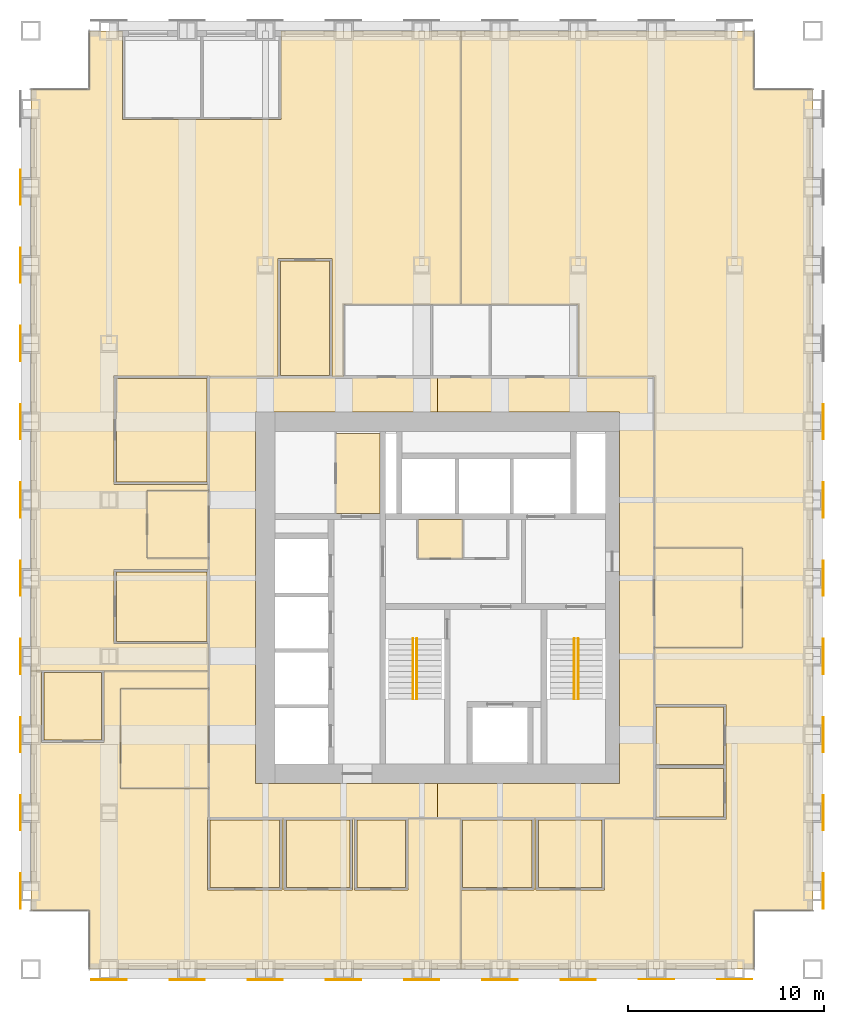
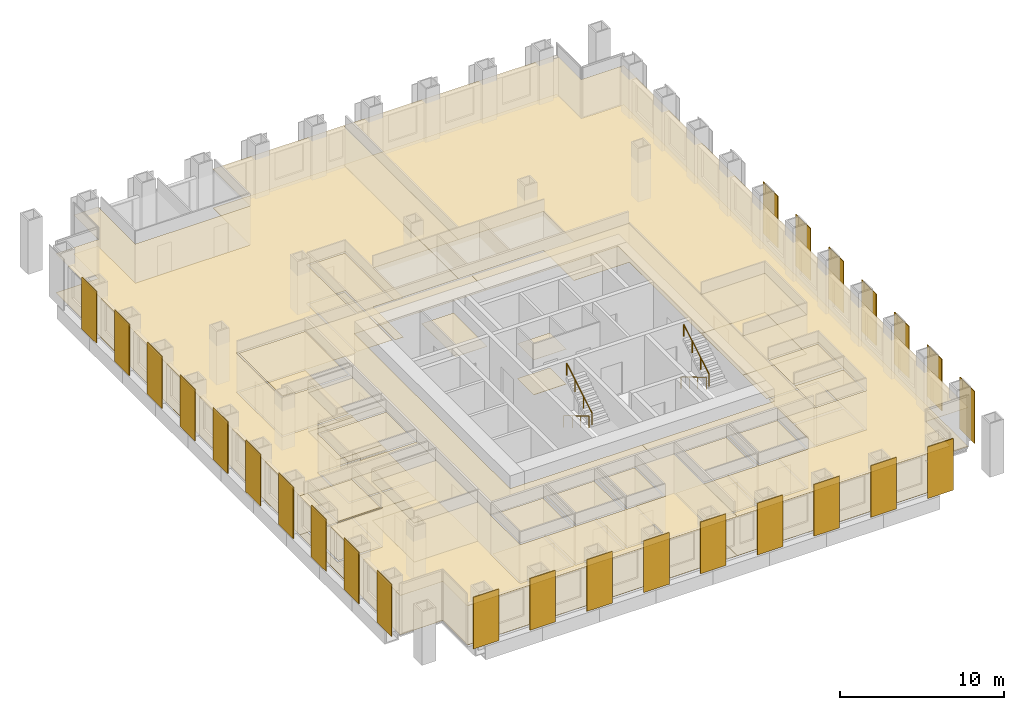
# One storey, part 13 of 14: 39 coverings, 26 shading devices, 4 railings.
"""IFC4 building model written with IfcOpenShell, lengths in metres."""

from ifc_helpers import new_model, si_unit, direction, frame, origin, origin_2d, place, context, subcontext, project, spatial, polyline, rectangle, circle, outline, extrude, material, layer, layer_set, type_object, element, save


model = new_model("IFC4")

# Units and contexts
model_context = context("Model", 3, precision=1e-05, world=origin(), true_north=direction((0.0, 1.0)))
body_context = subcontext(model_context, "Body", "Model", "MODEL_VIEW")
ifc_project = project(units=[si_unit("LENGTHUNIT", "METRE"), si_unit("AREAUNIT", "SQUARE_METRE"), si_unit("VOLUMEUNIT", "CUBIC_METRE"), si_unit("PLANEANGLEUNIT", "RADIAN"), si_unit("MASSUNIT", "GRAM", prefix="KILO")], contexts=[model_context])

# Site, building, storey
site_placement = place(None, origin())
site = spatial("IfcSite", under=ifc_project, at=site_placement, CompositionType="ELEMENT")
building_placement = place(site_placement, origin())
building = spatial("IfcBuilding", under=site, at=building_placement, Name="Rimbunsela Tower", CompositionType="ELEMENT")
storey_placement = place(building_placement, frame((0.0, 0.0, 179.800048828125)))
storey = spatial("IfcBuildingStorey", under=building, at=storey_placement, Name="L43", CompositionType="ELEMENT", Elevation=179.800048828125)

# Coverings
ifc_material_1 = material(Name="Nylon carpet tile", Category="textile")
ifc_layer_1 = layer(ifc_material_1, 0.010009765625)
ifc_layer_set_1 = layer_set([ifc_layer_1], Name="Carpet tile 10")
covering_type_1 = type_object("IfcCoveringType", Name="Carpet tile 10", PredefinedType="FLOORING", material=ifc_layer_set_1)
covering_1_placement = place(storey_placement, origin())
element("IfcCovering", 1, at=covering_1_placement, inside=storey, type_object=covering_type_1, Name="Floor finish Open office", PredefinedType="FLOORING", context=body_context, shape_type="SweptSolid", body=[
    extrude(outline(polyline([(18.85009765625, 15.699951171875), (18.949951171875, 15.699951171875), (18.949951171875, 12.050048828125), (22.449951171875, 12.050048828125), (22.449951171875, 15.699951171875), (22.550048828125, 15.699951171875), (22.550048828125, 12.050048828125), (25.300048828125, 12.050048828125), (25.300048828125, 15.699951171875), (27.9990234375, 15.699951171875), (27.9990234375, 8.0), (15.10009765625, 8.0), (9.0, 8.0), (9.0, 11.0), (6.0, 11.0), (6.0, 23.2490234375), (6.550048828125, 23.2490234375), (6.550048828125, 19.60009765625), (9.75, 19.60009765625), (9.75, 23.2490234375), (15.10009765625, 23.2490234375), (15.10009765625, 22.34912109375), (10.60009765625, 22.34912109375), (10.60009765625, 17.2490234375), (15.10009765625, 17.2490234375), (15.10009765625, 15.75), (15.050048828125, 15.75), (15.050048828125, 12.050048828125), (15.10009765625, 12.050048828125), (18.85009765625, 12.050048828125), (18.85009765625, 15.699951171875)])), origin(), (0.0, 0.0, 1.0), 0.010009765625),
])
covering_2_placement = place(storey_placement, origin())
element("IfcCovering", 2, at=covering_2_placement, inside=storey, type_object=covering_type_1, Name="Floor finish Open office", PredefinedType="FLOORING", context=body_context, shape_type="SweptSolid", body=[
    extrude(outline(polyline([(14.699951171875, 51.449951171875), (14.800048828125, 51.449951171875), (15.10009765625, 51.449951171875), (18.800048828125, 51.449951171875), (18.800048828125, 56.0), (27.9990234375, 56.0), (27.9990234375, 42.0), (22.0, 42.0), (22.0, 38.300048828125), (21.39990234375, 38.300048828125), (21.39990234375, 44.35009765625), (18.64990234375, 44.35009765625), (18.64990234375, 38.300048828125), (15.14990234375, 38.300048828125), (15.14990234375, 38.35009765625), (15.10009765625, 38.35009765625), (10.25, 38.35009765625), (10.25, 32.800048828125), (15.10009765625, 32.800048828125), (15.10009765625, 32.47509765625), (11.949951171875, 32.47509765625), (11.949951171875, 29.02490234375), (15.10009765625, 29.02490234375), (15.10009765625, 28.449951171875), (10.25, 28.449951171875), (10.25, 24.64990234375), (15.10009765625, 24.64990234375), (15.10009765625, 23.2509765625), (6.0, 23.2509765625), (6.0, 53.0), (9.0, 53.0), (9.0, 56.0), (10.699951171875, 56.0), (10.699951171875, 51.449951171875), (14.699951171875, 51.449951171875)])), origin(), (0.0, 0.0, 1.0), 0.010009765625),
])
covering_3_placement = place(storey_placement, origin())
element("IfcCovering", 3, at=covering_3_placement, inside=storey, type_object=covering_type_1, Name="Floor finish Open office", PredefinedType="FLOORING", context=body_context, shape_type="SweptSolid", body=[
    extrude(outline(polyline([(28.0009765625, 12.050048828125), (31.75, 12.050048828125), (31.75, 15.699951171875), (31.85009765625, 15.699951171875), (31.85009765625, 12.050048828125), (35.35009765625, 12.050048828125), (35.35009765625, 15.699951171875), (37.85009765625, 15.699951171875), (37.85009765625, 15.64990234375), (37.89990234375, 15.64990234375), (41.550048828125, 15.64990234375), (41.550048828125, 18.35009765625), (41.550048828125, 18.39990234375), (41.550048828125, 21.550048828125), (37.89990234375, 21.550048828125), (37.89990234375, 24.449951171875), (42.39990234375, 24.449951171875), (42.39990234375, 29.550048828125), (37.89990234375, 29.550048828125), (37.89990234375, 38.300048828125), (34.0, 38.300048828125), (34.0, 42.0), (28.0009765625, 42.0), (28.0009765625, 56.0), (37.89990234375, 56.0), (43.0, 56.0), (43.0, 53.0), (46.0, 53.0), (46.0, 11.0), (43.0, 11.0), (43.0, 8.0), (37.89990234375, 8.0), (28.0009765625, 8.0), (28.0009765625, 12.050048828125)])), origin(), (0.0, 0.0, 1.0), 0.010009765625),
])
covering_4_placement = place(storey_placement, origin())
element("IfcCovering", 4, at=covering_4_placement, inside=storey, type_object=covering_type_1, Name="Floor finish Reception", PredefinedType="FLOORING", context=body_context, shape_type="SweptSolid", body=[
    extrude(outline(polyline([(15.10009765625, 17.2490234375), (15.10009765625, 22.34912109375), (10.60009765625, 22.34912109375), (10.60009765625, 17.2490234375), (15.10009765625, 17.2490234375)])), origin(), (0.0, 0.0, 1.0), 0.010009765625),
])
covering_5_placement = place(storey_placement, origin())
element("IfcCovering", 5, at=covering_5_placement, inside=storey, type_object=covering_type_1, Name="Floor finish Reception", PredefinedType="FLOORING", context=body_context, shape_type="SweptSolid", body=[
    extrude(outline(polyline([(15.10009765625, 29.02490234375), (15.10009765625, 32.47509765625), (11.949951171875, 32.47509765625), (11.949951171875, 29.02490234375), (15.10009765625, 29.02490234375)])), origin(), (0.0, 0.0, 1.0), 0.010009765625),
])
covering_6_placement = place(storey_placement, origin())
element("IfcCovering", 6, at=covering_6_placement, inside=storey, type_object=covering_type_1, Name="Floor finish Reception", PredefinedType="FLOORING", context=body_context, shape_type="SweptSolid", body=[
    extrude(outline(polyline([(42.39990234375, 24.449951171875), (42.39990234375, 29.550048828125), (37.89990234375, 29.550048828125), (37.89990234375, 24.449951171875), (42.39990234375, 24.449951171875)])), origin(), (0.0, 0.0, 1.0), 0.010009765625),
])
covering_7_placement = place(storey_placement, origin())
element("IfcCovering", 7, at=covering_7_placement, inside=storey, type_object=covering_type_1, Name="Floor finish Pantry", PredefinedType="FLOORING", context=body_context, shape_type="SweptSolid", body=[
    extrude(outline(polyline([(15.02490234375, 32.925048828125), (15.02490234375, 38.22509765625), (10.375, 38.22509765625), (10.375, 32.925048828125), (15.02490234375, 32.925048828125)])), origin(), (0.0, 0.0, 1.0), 0.010009765625),
])
covering_8_placement = place(storey_placement, origin())
element("IfcCovering", 8, at=covering_8_placement, inside=storey, type_object=covering_type_1, Name="Floor finish Meeting room", PredefinedType="FLOORING", context=body_context, shape_type="SweptSolid", body=[
    extrude(outline(polyline([(18.72509765625, 12.175048828125), (18.72509765625, 15.625), (15.175048828125, 15.625), (15.175048828125, 12.175048828125), (18.72509765625, 12.175048828125)])), origin(), (0.0, 0.0, 1.0), 0.010009765625),
])
covering_9_placement = place(storey_placement, origin())
element("IfcCovering", 9, at=covering_9_placement, inside=storey, type_object=covering_type_1, Name="Floor finish Pantry", PredefinedType="FLOORING", context=body_context, shape_type="SweptSolid", body=[
    extrude(outline(polyline([(22.324951171875, 12.175048828125), (22.324951171875, 15.625), (19.074951171875, 15.625), (19.074951171875, 12.175048828125), (22.324951171875, 12.175048828125)])), origin(), (0.0, 0.0, 1.0), 0.010009765625),
])
covering_10_placement = place(storey_placement, origin())
element("IfcCovering", 10, at=covering_10_placement, inside=storey, type_object=covering_type_1, Name="Floor finish Print and copy room", PredefinedType="FLOORING", context=body_context, shape_type="SweptSolid", body=[
    extrude(outline(polyline([(25.175048828125, 12.175048828125), (25.175048828125, 15.625), (22.675048828125, 15.625), (22.675048828125, 12.175048828125), (25.175048828125, 12.175048828125)])), origin(), (0.0, 0.0, 1.0), 0.010009765625),
])
covering_11_placement = place(storey_placement, origin())
element("IfcCovering", 11, at=covering_11_placement, inside=storey, type_object=covering_type_1, Name="Floor finish Office", PredefinedType="FLOORING", context=body_context, shape_type="SweptSolid", body=[
    extrude(outline(polyline([(9.625, 19.72509765625), (9.625, 23.175048828125), (6.675048828125, 23.175048828125), (6.675048828125, 19.72509765625), (9.625, 19.72509765625)])), origin(), (0.0, 0.0, 1.0), 0.010009765625),
])
covering_12_placement = place(storey_placement, origin())
element("IfcCovering", 12, at=covering_12_placement, inside=storey, type_object=covering_type_1, Name="Floor finish Meeting room", PredefinedType="FLOORING", context=body_context, shape_type="SweptSolid", body=[
    extrude(outline(polyline([(15.02490234375, 24.77490234375), (15.02490234375, 28.324951171875), (10.375, 28.324951171875), (10.375, 24.77490234375), (15.02490234375, 24.77490234375)])), origin(), (0.0, 0.0, 1.0), 0.010009765625),
])
covering_13_placement = place(storey_placement, origin())
element("IfcCovering", 13, at=covering_13_placement, inside=storey, type_object=covering_type_1, Name="Floor finish Print and copy room", PredefinedType="FLOORING", context=body_context, shape_type="SweptSolid", body=[
    extrude(outline(polyline([(21.27490234375, 38.375), (21.27490234375, 44.22509765625), (18.77490234375, 44.22509765625), (18.77490234375, 38.375), (21.27490234375, 38.375)])), origin(), (0.0, 0.0, 1.0), 0.010009765625),
])
covering_14_placement = place(storey_placement, origin())
element("IfcCovering", 14, at=covering_14_placement, inside=storey, type_object=covering_type_1, Name="Floor finish Meeting room", PredefinedType="FLOORING", context=body_context, shape_type="SweptSolid", body=[
    extrude(outline(polyline([(31.625, 12.175048828125), (31.625, 15.625), (28.074951171875, 15.625), (28.074951171875, 12.175048828125), (31.625, 12.175048828125)])), origin(), (0.0, 0.0, 1.0), 0.010009765625),
])
covering_15_placement = place(storey_placement, origin())
element("IfcCovering", 15, at=covering_15_placement, inside=storey, type_object=covering_type_1, Name="Floor finish Pantry", PredefinedType="FLOORING", context=body_context, shape_type="SweptSolid", body=[
    extrude(outline(polyline([(35.22509765625, 12.175048828125), (35.22509765625, 15.625), (31.97509765625, 15.625), (31.97509765625, 12.175048828125), (35.22509765625, 12.175048828125)])), origin(), (0.0, 0.0, 1.0), 0.010009765625),
])
covering_16_placement = place(storey_placement, origin())
element("IfcCovering", 16, at=covering_16_placement, inside=storey, type_object=covering_type_1, Name="Floor finish Print and copy room", PredefinedType="FLOORING", context=body_context, shape_type="SweptSolid", body=[
    extrude(outline(polyline([(41.425048828125, 15.77490234375), (41.425048828125, 18.27490234375), (37.97509765625, 18.27490234375), (37.97509765625, 15.77490234375), (41.425048828125, 15.77490234375)])), origin(), (0.0, 0.0, 1.0), 0.010009765625),
])
covering_17_placement = place(storey_placement, origin())
element("IfcCovering", 17, at=covering_17_placement, inside=storey, type_object=covering_type_1, Name="Floor finish Office", PredefinedType="FLOORING", context=body_context, shape_type="SweptSolid", body=[
    extrude(outline(polyline([(41.425048828125, 18.47509765625), (41.425048828125, 21.425048828125), (37.97509765625, 21.425048828125), (37.97509765625, 18.47509765625), (41.425048828125, 18.47509765625)])), origin(), (0.0, 0.0, 1.0), 0.010009765625),
])
ifc_material_2 = material(Name="Mineral fibre ceiling tile", Category="gypsum")
ifc_layer_2 = layer(ifc_material_2, 0.02001953125)
ifc_layer_set_2 = layer_set([ifc_layer_2], Name="Ceiling 600 grid")
covering_type_2 = type_object("IfcCoveringType", Name="Ceiling 600 grid", PredefinedType="CEILING", material=ifc_layer_set_2)
covering_18_placement = place(storey_placement, frame((0.0, 0.0, 2.89990234375)))
element("IfcCovering", 18, at=covering_18_placement, inside=storey, type_object=covering_type_2, Name="Ceiling Staff pantry", PredefinedType="CEILING", context=body_context, shape_type="SweptSolid", body=[
    extrude(outline(polyline([(23.85009765625, 31.300048828125), (23.85009765625, 35.39990234375), (21.60009765625, 35.39990234375), (21.60009765625, 31.300048828125), (23.85009765625, 31.300048828125)])), origin(), (0.0, 0.0, 1.0), 0.02001953125),
])
covering_19_placement = place(storey_placement, frame((0.0, 0.0, 2.89990234375)))
element("IfcCovering", 19, at=covering_19_placement, inside=storey, type_object=covering_type_2, Name="Ceiling Ring corridor", PredefinedType="CEILING", context=body_context, shape_type="SweptSolid", body=[
    extrude(outline(polyline([(15.10009765625, 38.300048828125), (26.800048828125, 38.300048828125), (26.800048828125, 36.5), (17.5, 36.5), (17.5, 17.5), (26.800048828125, 17.5), (26.800048828125, 15.699951171875), (15.10009765625, 15.699951171875), (15.10009765625, 38.300048828125)])), origin(), (0.0, 0.0, 1.0), 0.02001953125),
])
covering_20_placement = place(storey_placement, frame((0.0, 0.0, 2.89990234375)))
element("IfcCovering", 20, at=covering_20_placement, inside=storey, type_object=covering_type_2, Name="Ceiling Ring corridor", PredefinedType="CEILING", context=body_context, shape_type="SweptSolid", body=[
    extrude(outline(polyline([(37.89990234375, 38.300048828125), (37.89990234375, 15.699951171875), (26.800048828125, 15.699951171875), (26.800048828125, 17.5), (36.10009765625, 17.5), (36.10009765625, 36.5), (26.800048828125, 36.5), (26.800048828125, 38.300048828125), (37.89990234375, 38.300048828125)])), origin(), (0.0, 0.0, 1.0), 0.02001953125),
])
covering_21_placement = place(storey_placement, frame((0.0, 0.0, 2.89990234375)))
element("IfcCovering", 21, at=covering_21_placement, inside=storey, type_object=covering_type_2, Name="Ceiling Open office", PredefinedType="CEILING", context=body_context, shape_type="SweptSolid", body=[
    extrude(outline(polyline([(18.85009765625, 15.699951171875), (18.949951171875, 15.699951171875), (18.949951171875, 12.050048828125), (22.449951171875, 12.050048828125), (22.449951171875, 15.699951171875), (22.550048828125, 15.699951171875), (22.550048828125, 12.050048828125), (25.300048828125, 12.050048828125), (25.300048828125, 15.699951171875), (27.9990234375, 15.699951171875), (27.9990234375, 8.0), (15.10009765625, 8.0), (9.0, 8.0), (9.0, 11.0), (6.0, 11.0), (6.0, 23.2490234375), (6.550048828125, 23.2490234375), (6.550048828125, 19.60009765625), (9.75, 19.60009765625), (9.75, 23.2490234375), (15.10009765625, 23.2490234375), (15.10009765625, 22.34912109375), (10.60009765625, 22.34912109375), (10.60009765625, 17.2490234375), (15.10009765625, 17.2490234375), (15.10009765625, 15.75), (15.050048828125, 15.75), (15.050048828125, 12.050048828125), (15.10009765625, 12.050048828125), (18.85009765625, 12.050048828125), (18.85009765625, 15.699951171875)])), origin(), (0.0, 0.0, 1.0), 0.02001953125),
])
covering_22_placement = place(storey_placement, frame((0.0, 0.0, 2.89990234375)))
element("IfcCovering", 22, at=covering_22_placement, inside=storey, type_object=covering_type_2, Name="Ceiling Open office", PredefinedType="CEILING", context=body_context, shape_type="SweptSolid", body=[
    extrude(outline(polyline([(14.699951171875, 51.449951171875), (14.800048828125, 51.449951171875), (15.10009765625, 51.449951171875), (18.800048828125, 51.449951171875), (18.800048828125, 56.0), (27.9990234375, 56.0), (27.9990234375, 42.0), (22.0, 42.0), (22.0, 38.300048828125), (21.39990234375, 38.300048828125), (21.39990234375, 44.35009765625), (18.64990234375, 44.35009765625), (18.64990234375, 38.300048828125), (15.14990234375, 38.300048828125), (15.14990234375, 38.35009765625), (15.10009765625, 38.35009765625), (10.25, 38.35009765625), (10.25, 32.800048828125), (15.10009765625, 32.800048828125), (15.10009765625, 32.47509765625), (11.949951171875, 32.47509765625), (11.949951171875, 29.02490234375), (15.10009765625, 29.02490234375), (15.10009765625, 28.449951171875), (10.25, 28.449951171875), (10.25, 24.64990234375), (15.10009765625, 24.64990234375), (15.10009765625, 23.2509765625), (6.0, 23.2509765625), (6.0, 53.0), (9.0, 53.0), (9.0, 56.0), (10.699951171875, 56.0), (10.699951171875, 51.449951171875), (14.699951171875, 51.449951171875)])), origin(), (0.0, 0.0, 1.0), 0.02001953125),
])
covering_23_placement = place(storey_placement, frame((0.0, 0.0, 2.89990234375)))
element("IfcCovering", 23, at=covering_23_placement, inside=storey, type_object=covering_type_2, Name="Ceiling Open office", PredefinedType="CEILING", context=body_context, shape_type="SweptSolid", body=[
    extrude(outline(polyline([(28.0009765625, 12.050048828125), (31.75, 12.050048828125), (31.75, 15.699951171875), (31.85009765625, 15.699951171875), (31.85009765625, 12.050048828125), (35.35009765625, 12.050048828125), (35.35009765625, 15.699951171875), (37.85009765625, 15.699951171875), (37.85009765625, 15.64990234375), (37.89990234375, 15.64990234375), (41.550048828125, 15.64990234375), (41.550048828125, 18.35009765625), (41.550048828125, 18.39990234375), (41.550048828125, 21.550048828125), (37.89990234375, 21.550048828125), (37.89990234375, 24.449951171875), (42.39990234375, 24.449951171875), (42.39990234375, 29.550048828125), (37.89990234375, 29.550048828125), (37.89990234375, 38.300048828125), (34.0, 38.300048828125), (34.0, 42.0), (28.0009765625, 42.0), (28.0009765625, 56.0), (37.89990234375, 56.0), (43.0, 56.0), (43.0, 53.0), (46.0, 53.0), (46.0, 11.0), (43.0, 11.0), (43.0, 8.0), (37.89990234375, 8.0), (28.0009765625, 8.0), (28.0009765625, 12.050048828125)])), origin(), (0.0, 0.0, 1.0), 0.02001953125),
])
covering_24_placement = place(storey_placement, frame((0.0, 0.0, 2.89990234375)))
element("IfcCovering", 24, at=covering_24_placement, inside=storey, type_object=covering_type_2, Name="Ceiling Reception", PredefinedType="CEILING", context=body_context, shape_type="SweptSolid", body=[
    extrude(outline(polyline([(15.10009765625, 17.2490234375), (15.10009765625, 22.34912109375), (10.60009765625, 22.34912109375), (10.60009765625, 17.2490234375), (15.10009765625, 17.2490234375)])), origin(), (0.0, 0.0, 1.0), 0.02001953125),
])
covering_25_placement = place(storey_placement, frame((0.0, 0.0, 2.89990234375)))
element("IfcCovering", 25, at=covering_25_placement, inside=storey, type_object=covering_type_2, Name="Ceiling Reception", PredefinedType="CEILING", context=body_context, shape_type="SweptSolid", body=[
    extrude(outline(polyline([(15.10009765625, 29.02490234375), (15.10009765625, 32.47509765625), (11.949951171875, 32.47509765625), (11.949951171875, 29.02490234375), (15.10009765625, 29.02490234375)])), origin(), (0.0, 0.0, 1.0), 0.02001953125),
])
covering_26_placement = place(storey_placement, frame((0.0, 0.0, 2.89990234375)))
element("IfcCovering", 26, at=covering_26_placement, inside=storey, type_object=covering_type_2, Name="Ceiling Reception", PredefinedType="CEILING", context=body_context, shape_type="SweptSolid", body=[
    extrude(outline(polyline([(42.39990234375, 24.449951171875), (42.39990234375, 29.550048828125), (37.89990234375, 29.550048828125), (37.89990234375, 24.449951171875), (42.39990234375, 24.449951171875)])), origin(), (0.0, 0.0, 1.0), 0.02001953125),
])
covering_27_placement = place(storey_placement, frame((0.0, 0.0, 2.89990234375)))
element("IfcCovering", 27, at=covering_27_placement, inside=storey, type_object=covering_type_2, Name="Ceiling Pantry", PredefinedType="CEILING", context=body_context, shape_type="SweptSolid", body=[
    extrude(outline(polyline([(15.02490234375, 32.925048828125), (15.02490234375, 38.22509765625), (10.375, 38.22509765625), (10.375, 32.925048828125), (15.02490234375, 32.925048828125)])), origin(), (0.0, 0.0, 1.0), 0.02001953125),
])
covering_28_placement = place(storey_placement, frame((0.0, 0.0, 2.89990234375)))
element("IfcCovering", 28, at=covering_28_placement, inside=storey, type_object=covering_type_2, Name="Ceiling Meeting room", PredefinedType="CEILING", context=body_context, shape_type="SweptSolid", body=[
    extrude(outline(polyline([(18.72509765625, 12.175048828125), (18.72509765625, 15.625), (15.175048828125, 15.625), (15.175048828125, 12.175048828125), (18.72509765625, 12.175048828125)])), origin(), (0.0, 0.0, 1.0), 0.02001953125),
])
covering_29_placement = place(storey_placement, frame((0.0, 0.0, 2.89990234375)))
element("IfcCovering", 29, at=covering_29_placement, inside=storey, type_object=covering_type_2, Name="Ceiling Pantry", PredefinedType="CEILING", context=body_context, shape_type="SweptSolid", body=[
    extrude(outline(polyline([(22.324951171875, 12.175048828125), (22.324951171875, 15.625), (19.074951171875, 15.625), (19.074951171875, 12.175048828125), (22.324951171875, 12.175048828125)])), origin(), (0.0, 0.0, 1.0), 0.02001953125),
])
covering_30_placement = place(storey_placement, frame((0.0, 0.0, 2.89990234375)))
element("IfcCovering", 30, at=covering_30_placement, inside=storey, type_object=covering_type_2, Name="Ceiling Print and copy room", PredefinedType="CEILING", context=body_context, shape_type="SweptSolid", body=[
    extrude(outline(polyline([(25.175048828125, 12.175048828125), (25.175048828125, 15.625), (22.675048828125, 15.625), (22.675048828125, 12.175048828125), (25.175048828125, 12.175048828125)])), origin(), (0.0, 0.0, 1.0), 0.02001953125),
])
covering_31_placement = place(storey_placement, frame((0.0, 0.0, 2.89990234375)))
element("IfcCovering", 31, at=covering_31_placement, inside=storey, type_object=covering_type_2, Name="Ceiling Office", PredefinedType="CEILING", context=body_context, shape_type="SweptSolid", body=[
    extrude(outline(polyline([(9.625, 19.72509765625), (9.625, 23.175048828125), (6.675048828125, 23.175048828125), (6.675048828125, 19.72509765625), (9.625, 19.72509765625)])), origin(), (0.0, 0.0, 1.0), 0.02001953125),
])
covering_32_placement = place(storey_placement, frame((0.0, 0.0, 2.89990234375)))
element("IfcCovering", 32, at=covering_32_placement, inside=storey, type_object=covering_type_2, Name="Ceiling Meeting room", PredefinedType="CEILING", context=body_context, shape_type="SweptSolid", body=[
    extrude(outline(polyline([(15.02490234375, 24.77490234375), (15.02490234375, 28.324951171875), (10.375, 28.324951171875), (10.375, 24.77490234375), (15.02490234375, 24.77490234375)])), origin(), (0.0, 0.0, 1.0), 0.02001953125),
])
covering_33_placement = place(storey_placement, frame((0.0, 0.0, 2.89990234375)))
element("IfcCovering", 33, at=covering_33_placement, inside=storey, type_object=covering_type_2, Name="Ceiling Print and copy room", PredefinedType="CEILING", context=body_context, shape_type="SweptSolid", body=[
    extrude(outline(polyline([(21.27490234375, 38.375), (21.27490234375, 44.22509765625), (18.77490234375, 44.22509765625), (18.77490234375, 38.375), (21.27490234375, 38.375)])), origin(), (0.0, 0.0, 1.0), 0.02001953125),
])
covering_34_placement = place(storey_placement, frame((0.0, 0.0, 2.89990234375)))
element("IfcCovering", 34, at=covering_34_placement, inside=storey, type_object=covering_type_2, Name="Ceiling Meeting room", PredefinedType="CEILING", context=body_context, shape_type="SweptSolid", body=[
    extrude(outline(polyline([(31.625, 12.175048828125), (31.625, 15.625), (28.074951171875, 15.625), (28.074951171875, 12.175048828125), (31.625, 12.175048828125)])), origin(), (0.0, 0.0, 1.0), 0.02001953125),
])
covering_35_placement = place(storey_placement, frame((0.0, 0.0, 2.89990234375)))
element("IfcCovering", 35, at=covering_35_placement, inside=storey, type_object=covering_type_2, Name="Ceiling Pantry", PredefinedType="CEILING", context=body_context, shape_type="SweptSolid", body=[
    extrude(outline(polyline([(35.22509765625, 12.175048828125), (35.22509765625, 15.625), (31.97509765625, 15.625), (31.97509765625, 12.175048828125), (35.22509765625, 12.175048828125)])), origin(), (0.0, 0.0, 1.0), 0.02001953125),
])
covering_36_placement = place(storey_placement, frame((0.0, 0.0, 2.89990234375)))
element("IfcCovering", 36, at=covering_36_placement, inside=storey, type_object=covering_type_2, Name="Ceiling Print and copy room", PredefinedType="CEILING", context=body_context, shape_type="SweptSolid", body=[
    extrude(outline(polyline([(41.425048828125, 15.77490234375), (41.425048828125, 18.27490234375), (37.97509765625, 18.27490234375), (37.97509765625, 15.77490234375), (41.425048828125, 15.77490234375)])), origin(), (0.0, 0.0, 1.0), 0.02001953125),
])
covering_37_placement = place(storey_placement, frame((0.0, 0.0, 2.89990234375)))
element("IfcCovering", 37, at=covering_37_placement, inside=storey, type_object=covering_type_2, Name="Ceiling Office", PredefinedType="CEILING", context=body_context, shape_type="SweptSolid", body=[
    extrude(outline(polyline([(41.425048828125, 18.47509765625), (41.425048828125, 21.425048828125), (37.97509765625, 21.425048828125), (37.97509765625, 18.47509765625), (41.425048828125, 18.47509765625)])), origin(), (0.0, 0.0, 1.0), 0.02001953125),
])
ifc_material_3 = material(Name="Moisture-resistant plasterboard ceiling", Category="gypsum")
ifc_layer_3 = layer(ifc_material_3, 0.012451171875)
ifc_layer_set_3 = layer_set([ifc_layer_3], Name="Ceiling moisture-resistant board")
covering_type_3 = type_object("IfcCoveringType", Name="Ceiling moisture-resistant board", PredefinedType="CEILING", material=ifc_layer_set_3)
covering_38_placement = place(storey_placement, frame((0.0, 0.0, 2.599853515625)))
element("IfcCovering", 38, at=covering_38_placement, inside=storey, type_object=covering_type_3, Name="Ceiling Staff WC", PredefinedType="CEILING", context=body_context, shape_type="SweptSolid", body=[
    extrude(outline(polyline([(28.10009765625, 29.0), (28.10009765625, 31.0), (25.800048828125, 31.0), (25.800048828125, 29.0), (28.10009765625, 29.0)])), origin(), (0.0, 0.0, 1.0), 0.02001953125),
])
ifc_material_4 = material(Name="Porcelain floor tile in adhesive bed", Category="ceramic")
ifc_layer_4 = layer(ifc_material_4, 0.02001953125)
ifc_layer_set_4 = layer_set([ifc_layer_4], Name="Porcelain tile 20")
covering_type_4 = type_object("IfcCoveringType", Name="Porcelain tile 20", PredefinedType="FLOORING", material=ifc_layer_set_4)
covering_39_placement = place(storey_placement, origin())
element("IfcCovering", 39, at=covering_39_placement, inside=storey, type_object=covering_type_4, Name="Floor finish Staff WC", PredefinedType="FLOORING", context=body_context, shape_type="SweptSolid", body=[
    extrude(outline(polyline([(28.10009765625, 29.0), (28.10009765625, 31.0), (25.800048828125, 31.0), (25.800048828125, 29.0), (28.10009765625, 29.0)])), origin(), (0.0, 0.0, 1.0), 0.02001953125),
])

# Shading devices
ifc_material_5 = material(Name="Perforated aluminium, 35 % open area", Category="aluminium")
ifc_layer_5 = layer(ifc_material_5, 0.050048828125)
ifc_layer_set_5 = layer_set([ifc_layer_5], Name="Solar screen panel 1800")
shading_device_type = type_object("IfcShadingDeviceType", Name="Solar screen panel 1800", PredefinedType="USERDEFINED", material=ifc_layer_set_5)
for number, where, z_axis, x_axis, name in (
    (40, (10.0, 7.47509765625, 0.0), (0.0, 0.0, 1.0), (1.0, 0.0, 0.0), "Solar screen S L43"),
    (41, (14.0, 7.47509765625, 0.0), (0.0, 0.0, 1.0), (1.0, 0.0, 0.0), "Solar screen S L43"),
    (42, (18.0, 7.47509765625, 0.0), (0.0, 0.0, 1.0), (1.0, 0.0, 0.0), "Solar screen S L43"),
    (43, (22.0, 7.47509765625, 0.0), (0.0, 0.0, 1.0), (1.0, 0.0, 0.0), "Solar screen S L43"),
    (44, (26.0, 7.47509765625, 0.0), (0.0, 0.0, 1.0), (1.0, 0.0, 0.0), "Solar screen S L43"),
    (45, (30.0, 7.47509765625, 0.0), (0.0, 0.0, 1.0), (1.0, 0.0, 0.0), "Solar screen S L43"),
    (46, (34.0, 7.47509765625, 0.0), (0.0, 0.0, 1.0), (1.0, 0.0, 0.0), "Solar screen S L43"),
    (47, (38.0, 7.47509765625, 0.0), (0.0, 0.0, 1.0), (1.0, 0.0, 0.0), "Solar screen S L43"),
    (48, (42.0, 7.47509765625, 0.0), (0.0, 0.0, 1.0), (1.0, 0.0, 0.0), "Solar screen S L43"),
    (49, (46.52490234375, 12.0, 0.0), (0.0, 0.0, 1.0), (0.0, 1.0, 0.0), "Solar screen E L43"),
    (50, (46.52490234375, 16.0, 0.0), (0.0, 0.0, 1.0), (0.0, 1.0, 0.0), "Solar screen E L43"),
    (51, (46.52490234375, 20.0, 0.0), (0.0, 0.0, 1.0), (0.0, 1.0, 0.0), "Solar screen E L43"),
    (52, (46.52490234375, 24.0, 0.0), (0.0, 0.0, 1.0), (0.0, 1.0, 0.0), "Solar screen E L43"),
    (53, (46.52490234375, 28.0, 0.0), (0.0, 0.0, 1.0), (0.0, 1.0, 0.0), "Solar screen E L43"),
    (54, (46.52490234375, 32.0, 0.0), (0.0, 0.0, 1.0), (0.0, 1.0, 0.0), "Solar screen E L43"),
    (55, (46.52490234375, 36.0, 0.0), (0.0, 0.0, 1.0), (0.0, 1.0, 0.0), "Solar screen E L43"),
    (56, (5.47509765625, 12.0, 0.0), (0.0, 0.0, 1.0), (0.0, 1.0, 0.0), "Solar screen W L43"),
    (57, (5.47509765625, 16.0, 0.0), (0.0, 0.0, 1.0), (0.0, 1.0, 0.0), "Solar screen W L43"),
    (58, (5.47509765625, 20.0, 0.0), (0.0, 0.0, 1.0), (0.0, 1.0, 0.0), "Solar screen W L43"),
    (59, (5.47509765625, 24.0, 0.0), (0.0, 0.0, 1.0), (0.0, 1.0, 0.0), "Solar screen W L43"),
    (60, (5.47509765625, 28.0, 0.0), (0.0, 0.0, 1.0), (0.0, 1.0, 0.0), "Solar screen W L43"),
    (61, (5.47509765625, 32.0, 0.0), (0.0, 0.0, 1.0), (0.0, 1.0, 0.0), "Solar screen W L43"),
    (62, (5.47509765625, 36.0, 0.0), (0.0, 0.0, 1.0), (0.0, 1.0, 0.0), "Solar screen W L43"),
    (63, (5.47509765625, 40.0, 0.0), (0.0, 0.0, 1.0), (0.0, 1.0, 0.0), "Solar screen W L43"),
    (64, (5.47509765625, 44.0, 0.0), (0.0, 0.0, 1.0), (0.0, 1.0, 0.0), "Solar screen W L43"),
    (65, (5.47509765625, 48.0, 0.0), (0.0, 0.0, 1.0), (0.0, 1.0, 0.0), "Solar screen W L43"),
):
    element("IfcShadingDevice", number, at=place(storey_placement, frame(where, z_axis=z_axis, x_axis=x_axis)), inside=storey, type_object=shading_device_type, Name=name, ObjectType="SCREEN", PredefinedType="USERDEFINED", context=body_context, shape_type="SweptSolid", body=[
        extrude(rectangle(XDim=1.800048828125, YDim=0.050048828125, at=origin_2d()), origin(), (0.0, 0.0, 1.0), 3.85009765625),
    ])

# Railings
ifc_material_6 = material(Name="Stainless steel tube", Category="steel")
railing_type = type_object("IfcRailingType", Name="Stair handrail 900", PredefinedType="HANDRAIL", material=ifc_material_6)
railing_1_placement = place(storey_placement, frame((25.550048828125, 24.89990234375, 0.16650390625)))
element("IfcRailing", 66, at=railing_1_placement, inside=storey, type_object=railing_type, Name="Handrail ST-A flight 1", PredefinedType="HANDRAIL", context=body_context, shape_type="SweptSolid", body=[
    extrude(circle(Radius=0.02392578125, at=origin_2d()), frame((0.0, 0.0, 0.8759765625), z_axis=(0.0, -0.859260807169, 0.511537745687), x_axis=(1.0, 0.0, 0.0)), (0.0, 0.0, 1.0), 3.584228515625),
    extrude(circle(Radius=0.02099609375, at=origin_2d()), origin(), (0.0, 0.0, 1.0), 0.851806640625),
    extrude(circle(Radius=0.02099609375, at=origin_2d()), frame((0.0, -1.026611328125, 0.611083984375)), (0.0, 0.0, 1.0), 0.851806640625),
    extrude(circle(Radius=0.02099609375, at=origin_2d()), frame((0.0, -2.05322265625, 1.222412109375)), (0.0, 0.0, 1.0), 0.851806640625),
    extrude(circle(Radius=0.02099609375, at=origin_2d()), frame((0.0, -3.079833984375, 1.83349609375)), (0.0, 0.0, 1.0), 0.851806640625),
])
railing_2_placement = place(storey_placement, frame((25.75, 21.820068359375, 2.16650390625)))
element("IfcRailing", 67, at=railing_2_placement, inside=storey, type_object=railing_type, Name="Handrail ST-A flight 2", PredefinedType="HANDRAIL", context=body_context, shape_type="SweptSolid", body=[
    extrude(circle(Radius=0.02392578125, at=origin_2d()), frame((0.0, 0.0, 0.8759765625), z_axis=(0.0, 0.859260807169, 0.511537745687), x_axis=(-1.0, 0.0, 0.0)), (0.0, 0.0, 1.0), 3.584228515625),
    extrude(circle(Radius=0.02099609375, at=origin_2d()), origin(), (0.0, 0.0, 1.0), 0.851806640625),
    extrude(circle(Radius=0.02099609375, at=origin_2d()), frame((0.0, 1.026611328125, 0.611083984375)), (0.0, 0.0, 1.0), 0.851806640625),
    extrude(circle(Radius=0.02099609375, at=origin_2d()), frame((0.0, 2.05322265625, 1.222412109375)), (0.0, 0.0, 1.0), 0.851806640625),
    extrude(circle(Radius=0.02099609375, at=origin_2d()), frame((0.0, 3.079833984375, 1.83349609375)), (0.0, 0.0, 1.0), 0.851806640625),
])
railing_3_placement = place(storey_placement, frame((33.800048828125, 24.89990234375, 0.16650390625)))
element("IfcRailing", 68, at=railing_3_placement, inside=storey, type_object=railing_type, Name="Handrail ST-B flight 1", PredefinedType="HANDRAIL", context=body_context, shape_type="SweptSolid", body=[
    extrude(circle(Radius=0.02392578125, at=origin_2d()), frame((0.0, 0.0, 0.8759765625), z_axis=(0.0, -0.859260807169, 0.511537745687), x_axis=(1.0, 0.0, 0.0)), (0.0, 0.0, 1.0), 3.584228515625),
    extrude(circle(Radius=0.02099609375, at=origin_2d()), origin(), (0.0, 0.0, 1.0), 0.851806640625),
    extrude(circle(Radius=0.02099609375, at=origin_2d()), frame((0.0, -1.026611328125, 0.611083984375)), (0.0, 0.0, 1.0), 0.851806640625),
    extrude(circle(Radius=0.02099609375, at=origin_2d()), frame((0.0, -2.05322265625, 1.222412109375)), (0.0, 0.0, 1.0), 0.851806640625),
    extrude(circle(Radius=0.02099609375, at=origin_2d()), frame((0.0, -3.079833984375, 1.83349609375)), (0.0, 0.0, 1.0), 0.851806640625),
])
railing_4_placement = place(storey_placement, frame((34.0, 21.820068359375, 2.16650390625)))
element("IfcRailing", 69, at=railing_4_placement, inside=storey, type_object=railing_type, Name="Handrail ST-B flight 2", PredefinedType="HANDRAIL", context=body_context, shape_type="SweptSolid", body=[
    extrude(circle(Radius=0.02392578125, at=origin_2d()), frame((0.0, 0.0, 0.8759765625), z_axis=(0.0, 0.859260807169, 0.511537745687), x_axis=(-1.0, 0.0, 0.0)), (0.0, 0.0, 1.0), 3.584228515625),
    extrude(circle(Radius=0.02099609375, at=origin_2d()), origin(), (0.0, 0.0, 1.0), 0.851806640625),
    extrude(circle(Radius=0.02099609375, at=origin_2d()), frame((0.0, 1.026611328125, 0.611083984375)), (0.0, 0.0, 1.0), 0.851806640625),
    extrude(circle(Radius=0.02099609375, at=origin_2d()), frame((0.0, 2.05322265625, 1.222412109375)), (0.0, 0.0, 1.0), 0.851806640625),
    extrude(circle(Radius=0.02099609375, at=origin_2d()), frame((0.0, 3.079833984375, 1.83349609375)), (0.0, 0.0, 1.0), 0.851806640625),
])

save(model, "model.ifc")
